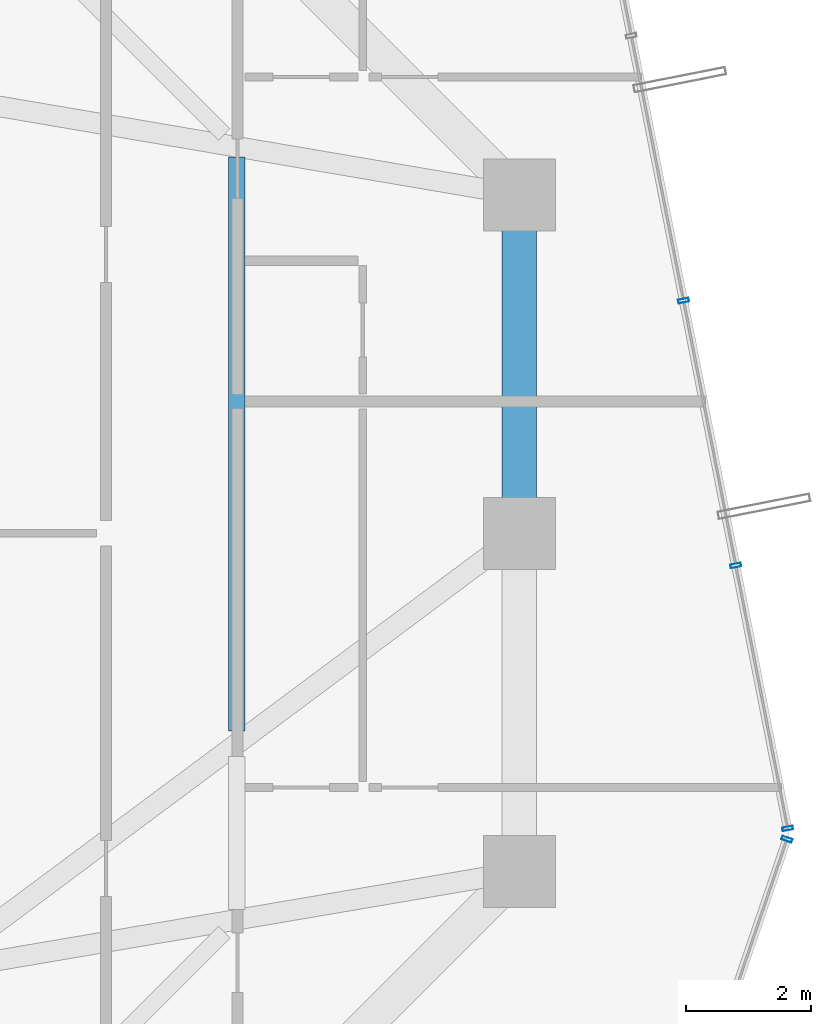
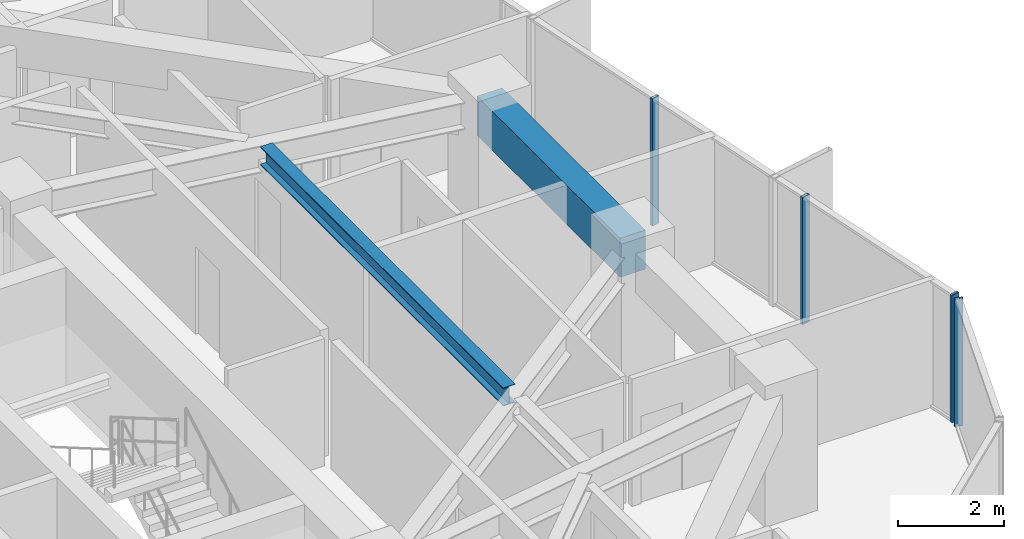
# One storey, part 18 of 36: 4 members, 2 beams, 2 elements without a shape of their own.
"""IFC4 building model written with IfcOpenShell, lengths in metres."""

from ifc_helpers import new_model, si_unit, direction, frame, origin, origin_2d, place, context, subcontext, project, spatial, rectangle, hollow_rectangle, i_section, extrude, source, transform, mapped, material, layer, layer_set, material_profile, profile_set, type_object, element, aggregate, save


model = new_model("IFC4")

# Units and contexts
model_context = context("Model", 3, precision=1e-05, world=origin(), true_north=direction((0.0, 1.0)))
body_context = subcontext(model_context, "Body", "Model", "MODEL_VIEW")
ifc_project = project(units=[si_unit("LENGTHUNIT", "METRE"), si_unit("AREAUNIT", "SQUARE_METRE"), si_unit("VOLUMEUNIT", "CUBIC_METRE"), si_unit("PLANEANGLEUNIT", "RADIAN"), si_unit("MASSUNIT", "GRAM", prefix="KILO")], contexts=[model_context])

# Site, building, storey
site_placement = place(None, origin())
site = spatial("IfcSite", under=ifc_project, at=site_placement, CompositionType="ELEMENT")
building_placement = place(site_placement, origin())
building = spatial("IfcBuilding", under=site, at=building_placement, Name="Veraguas Prism Commons", CompositionType="ELEMENT")
storey_placement = place(building_placement, frame((0.0, 0.0, 166.300048828125)))
storey = spatial("IfcBuildingStorey", under=building, at=storey_placement, Name="L47", CompositionType="ELEMENT", Elevation=166.300048828125)

# Beams
ifc_material_1 = material(Name="Steel ASTM A992 Grade 50", Category="steel")
ifc_material_profile_1 = material_profile(ifc_material_1, i_section(OverallWidth=0.260986328125, OverallDepth=0.419921875, WebThickness=0.01171875, FlangeThickness=0.019287109375, at=origin_2d()), Name="W410X114")
ifc_profile_set_1 = profile_set([ifc_material_profile_1], Name="Steel ASTM A992 Grade 50")
beam_type_1 = type_object("IfcBeamType", Name="Lower Floor Joist W410x114", PredefinedType="JOIST", material=ifc_profile_set_1)
beam_1_placement = place(storey_placement, frame((35.68798828125, 20.842041015625, 2.719970703125), z_axis=(0.0, 1.0, 0.0), x_axis=(-1.0, 0.0, 0.0)))
element("IfcBeam", 1, at=beam_1_placement, inside=storey, type_object=beam_type_1, Name="Composite Floor Joist L47-JS02", PredefinedType="JOIST", context=body_context, shape_type="SweptSolid", body=[
    extrude(i_section(OverallWidth=0.260986328125, OverallDepth=0.419921875, WebThickness=0.01171875, FlangeThickness=0.019287109375, at=origin_2d()), origin(), (0.0, 0.0, 1.0), 9.16162109375),
])
ifc_material_2 = material(Name="Concrete C50/60", Category="concrete")
ifc_material_profile_2 = material_profile(ifc_material_2, rectangle(XDim=0.550048828125, YDim=0.89990234375, at=origin_2d()), Name="RC550X900")
ifc_profile_set_2 = profile_set([ifc_material_profile_2], Name="Concrete C50/60")
beam_type_2 = type_object("IfcBeamType", Name="Perimeter Spandrel Lower RC 550x900", PredefinedType="SPANDREL", material=ifc_profile_set_2)
beam_2_placement = place(storey_placement, frame((40.199951171875, 24.0, 2.47998046875), z_axis=(0.0, 1.0, 0.0), x_axis=(-1.0, 0.0, 0.0)))
element("IfcBeam", 2, at=beam_2_placement, inside=storey, type_object=beam_type_2, Name="Perimeter Spandrel Beam L47-SP02", PredefinedType="SPANDREL", context=body_context, shape_type="SweptSolid", body=[
    extrude(rectangle(XDim=0.550048828125, YDim=0.89990234375, at=origin_2d()), origin(), (0.0, 0.0, 1.0), 5.39990234375),
])

# Curtain wall, members
ifc_material_3 = material(Name="Anodised aluminium EN AW-6063 T6", Category="aluminium")
ifc_layer = layer(ifc_material_3, 0.169921875, Name="Unitised Flush Curtain Wall Zone 2", Category="aluminium")
ifc_layer_set = layer_set([ifc_layer], Name="Anodised aluminium EN AW-6063 T6")
curtain_wall_type = type_object("IfcCurtainWallType", Name="Unitised Flush Curtain Wall Zone 2", PredefinedType="NOTDEFINED", material=ifc_layer_set)
curtain_wall_1_placement = place(storey_placement, origin())
curtain_wall_1 = element("IfcCurtainWall", 3, at=curtain_wall_1_placement, inside=storey, type_object=curtain_wall_type, Name="Tower Facade Curtain Wall L47-F6", PredefinedType="NOTDEFINED")
ifc_material_profile_3 = material_profile(ifc_material_3, hollow_rectangle(XDim=0.06005859375, YDim=0.169921875, WallThickness=0.00390625, at=origin_2d()), Name="AL60X170X4")
ifc_profile_set_3 = profile_set([ifc_material_profile_3], Name="Anodised aluminium EN AW-6063 T6")
member_type = type_object("IfcMemberType", Name="Curtain Wall Mullion Lower AL 60x170x4", PredefinedType="MULLION", material=ifc_profile_set_3)
shared_shape = source(origin(), body_context, "Body", "SweptSolid", [
    extrude(hollow_rectangle(XDim=0.06005859375, YDim=0.169921875, WallThickness=0.00390625, at=origin_2d()), origin(), (0.0, 0.0, 1.0), 2.929931640625),
])
member_1_placement = place(storey_placement, frame((44.481689453125, 19.287841796875, 0.0), z_axis=(0.0, 0.0, 1.0), x_axis=(-0.193549468051, 0.981090517443, 0.0)))
member_1 = element("IfcMember", 4, at=member_1_placement, type_object=member_type, Name="CW-Z2 Mullion 1", PredefinedType="MULLION", context=body_context, shape_type="MappedRepresentation", body=[
    mapped(shared_shape, transform((0.0, 0.0, 0.0), scale=1.0)),
])
member_2_placement = place(storey_placement, frame((43.653564453125, 23.485595703125, 0.0), z_axis=(0.0, 0.0, 1.0), x_axis=(-0.193549468051, 0.981090517443, 0.0)))
member_2 = element("IfcMember", 5, at=member_2_placement, type_object=member_type, Name="CW-Z2 Mullion 2", PredefinedType="MULLION", context=body_context, shape_type="MappedRepresentation", body=[
    mapped(shared_shape, transform((0.0, 0.0, 0.0), scale=1.0)),
])
member_3_placement = place(storey_placement, frame((42.81982421875, 27.712646484375, 0.0), z_axis=(0.0, 0.0, 1.0), x_axis=(-0.193549468051, 0.981090517443, 0.0)))
member_3 = element("IfcMember", 6, at=member_3_placement, type_object=member_type, Name="CW-Z2 Mullion 3", PredefinedType="MULLION", context=body_context, shape_type="MappedRepresentation", body=[
    mapped(shared_shape, transform((0.0, 0.0, 0.0), scale=1.0)),
])
aggregate(curtain_wall_1, [member_1, member_2, member_3])

# Curtain wall, member
curtain_wall_2_placement = place(storey_placement, origin())
curtain_wall_2 = element("IfcCurtainWall", 7, at=curtain_wall_2_placement, inside=storey, type_object=curtain_wall_type, Name="Chamfer Curtain Wall L47-C6", PredefinedType="NOTDEFINED")
member_4_placement = place(storey_placement, frame((44.47021484375, 19.114501953125, 0.0), z_axis=(0.0, 0.0, 1.0), x_axis=(0.322929806142, 0.946422918311, 0.0)))
member_4 = element("IfcMember", 8, at=member_4_placement, type_object=member_type, Name="CW-Z2 Mullion 2", PredefinedType="MULLION", context=body_context, shape_type="MappedRepresentation", body=[
    mapped(shared_shape, transform((0.0, 0.0, 0.0), scale=1.0)),
])
aggregate(curtain_wall_2, [member_4])

save(model, "model.ifc")
